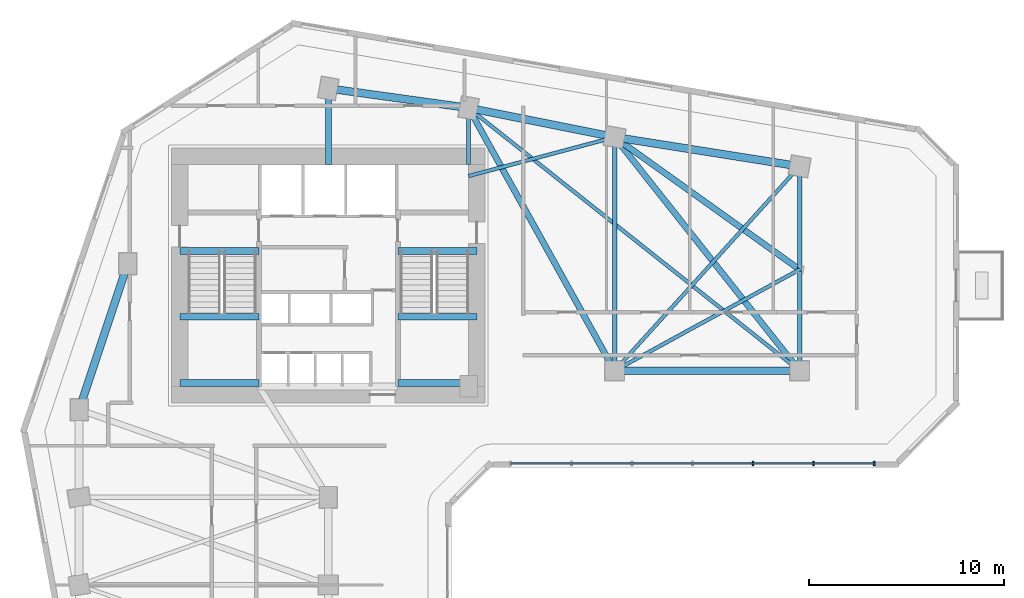
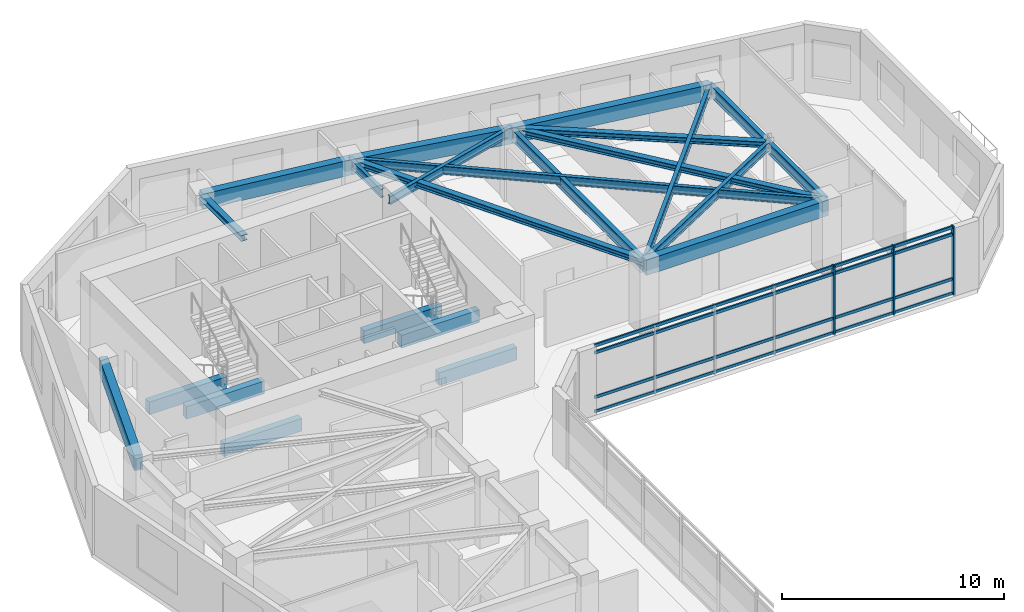
# One storey, part 3 of 11: 22 beams, 7 members, 1 element without a shape of its own.
"""IFC4 building model written with IfcOpenShell, lengths in metres."""

from ifc_helpers import new_model, si_unit, direction, frame, origin, origin_2d, place, context, subcontext, project, spatial, rectangle, i_section, extrude, source, transform, mapped, material, material_profile, profile_set, type_object, element, aggregate, save


model = new_model("IFC4")

# Units and contexts
model_context = context("Model", 3, precision=1e-05, world=origin(), true_north=direction((0.0, 1.0)))
body_context = subcontext(model_context, "Body", "Model", "MODEL_VIEW")
ifc_project = project(units=[si_unit("LENGTHUNIT", "METRE"), si_unit("AREAUNIT", "SQUARE_METRE"), si_unit("VOLUMEUNIT", "CUBIC_METRE"), si_unit("PLANEANGLEUNIT", "RADIAN"), si_unit("MASSUNIT", "GRAM", prefix="KILO")], contexts=[model_context])

# Site, building, storey
site_placement = place(None, origin())
site = spatial("IfcSite", under=ifc_project, at=site_placement, CompositionType="ELEMENT")
building_placement = place(site_placement, origin())
building = spatial("IfcBuilding", under=site, at=building_placement, Name="Calvemar Wedge Station Tower", CompositionType="ELEMENT")
storey_placement = place(building_placement, frame((0.0, 0.0, 79.0)))
storey = spatial("IfcBuildingStorey", under=building, at=storey_placement, Name="L19", CompositionType="ELEMENT", Elevation=79.0)

# Beams
ifc_material_1 = material(Name="Concrete C70", Category="concrete")
ifc_material_profile_1 = material_profile(ifc_material_1, rectangle(XDim=0.35009765625, YDim=0.699951171875, at=origin_2d()), Name="RC350x700")
ifc_profile_set_1 = profile_set([ifc_material_profile_1], Name="Concrete C70")
beam_type_1 = type_object("IfcBeamType", Name="BM-LN1-700", PredefinedType="LINTEL", material=ifc_profile_set_1)
shared_shape_1 = source(origin(), body_context, "Body", "SweptSolid", [
    extrude(rectangle(XDim=0.35009765625, YDim=0.699951171875, at=origin_2d()), origin(), (0.0, 0.0, 1.0), 4.054931640625),
])
for number, where, z_axis, x_axis, name in (
    (1, (16.175048828125, 41.14990234375, -0.35009765625), (1.0, 0.0, 0.0), (0.0, 1.0, 0.0), "Storey L19 Stair ST-C1 Landing Trimmer Beam"),
    (2, (27.3701171875, 41.14990234375, -0.35009765625), (1.0, 0.0, 0.0), (0.0, 1.0, 0.0), "Storey L19 Stair ST-C2 Landing Trimmer Beam"),
    (3, (16.175048828125, 34.3798828125, 1.449951171875), (1.0, 0.0, 0.0), (0.0, 1.0, 0.0), "Storey L19 Stair ST-C1 Half-Landing Beam 1A"),
    (4, (16.175048828125, 37.780029296875, 1.449951171875), (1.0, 0.0, 0.0), (0.0, 1.0, 0.0), "Storey L19 Stair ST-C1 Half-Landing Beam 1B"),
    (5, (27.3701171875, 34.3798828125, 1.449951171875), (1.0, 0.0, 0.0), (0.0, 1.0, 0.0), "Storey L19 Stair ST-C2 Half-Landing Beam 1A"),
    (6, (27.3701171875, 37.780029296875, 1.449951171875), (1.0, 0.0, 0.0), (0.0, 1.0, 0.0), "Storey L19 Stair ST-C2 Half-Landing Beam 1B"),
):
    element("IfcBeam", number, at=place(storey_placement, frame(where, z_axis=z_axis, x_axis=x_axis)), inside=storey, type_object=beam_type_1, Name=name, PredefinedType="LINTEL", context=body_context, shape_type="MappedRepresentation", body=[
        mapped(shared_shape_1, transform((0.0, 0.0, 0.0), scale=1.0)),
    ])
ifc_material_2 = material(Name="Concrete C60", Category="concrete")
ifc_material_profile_2 = material_profile(ifc_material_2, rectangle(XDim=0.39990234375, YDim=0.85009765625, at=origin_2d()), Name="RC400x850")
ifc_profile_set_2 = profile_set([ifc_material_profile_2], Name="Concrete C60")
beam_type_2 = type_object("IfcBeamType", Name="BM-SP1-850", PredefinedType="SPANDREL", material=ifc_profile_set_2)
shared_shape_2 = source(origin(), body_context, "Body", "SweptSolid", [
    extrude(rectangle(XDim=0.39990234375, YDim=0.85009765625, at=origin_2d()), origin(), (0.0, 0.0, 1.0), 7.90576171875),
])
beam_1_placement = place(storey_placement, frame((11.0, 33.0, 3.324951171875), z_axis=(0.316227766017, 0.948683298051, 0.0), x_axis=(-0.948683298051, 0.316227766017, 0.0)))
element("IfcBeam", 7, at=beam_1_placement, inside=storey, type_object=beam_type_2, Name="Storey L19 Spandrel T-NW1-T-NW2", PredefinedType="SPANDREL", context=body_context, shape_type="MappedRepresentation", body=[
    mapped(shared_shape_2, transform((0.0, 0.0, 0.0), scale=1.0)),
])
shared_shape_3 = source(origin(), body_context, "Body", "SweptSolid", [
    extrude(rectangle(XDim=0.39990234375, YDim=0.85009765625, at=origin_2d()), origin(), (0.0, 0.0, 1.0), 7.26904296875),
])
beam_2_placement = place(storey_placement, frame((23.800048828125, 49.5, 3.324951171875), z_axis=(0.990492146053, -0.13756928657, 0.0), x_axis=(0.13756928657, 0.990492146053, 0.0)))
element("IfcBeam", 8, at=beam_2_placement, inside=storey, type_object=beam_type_2, Name="Storey L19 Spandrel T-N1-T-N2", PredefinedType="SPANDREL", context=body_context, shape_type="MappedRepresentation", body=[
    mapped(shared_shape_3, transform((0.0, 0.0, 0.0), scale=1.0)),
])
shared_shape_4 = source(origin(), body_context, "Body", "SweptSolid", [
    extrude(rectangle(XDim=0.39990234375, YDim=0.85009765625, at=origin_2d()), origin(), (0.0, 0.0, 1.0), 7.6484375),
])
beam_3_placement = place(storey_placement, frame((31.0, 48.5, 3.324951171875), z_axis=(0.980580675691, -0.196116135138, 0.0), x_axis=(0.196116135138, 0.980580675691, 0.0)))
element("IfcBeam", 9, at=beam_3_placement, inside=storey, type_object=beam_type_2, Name="Storey L19 Spandrel T-N2-T-NU3", PredefinedType="SPANDREL", context=body_context, shape_type="MappedRepresentation", body=[
    mapped(shared_shape_4, transform((0.0, 0.0, 0.0), scale=1.0)),
])
shared_shape_5 = source(origin(), body_context, "Body", "SweptSolid", [
    extrude(rectangle(XDim=0.39990234375, YDim=0.85009765625, at=origin_2d()), origin(), (0.0, 0.0, 1.0), 9.61767578125),
])
beam_4_placement = place(storey_placement, frame((38.5, 47.0, 3.324951171875), z_axis=(0.987762965329, -0.155962573473, 0.0), x_axis=(0.155962573473, 0.987762965329, 0.0)))
element("IfcBeam", 10, at=beam_4_placement, inside=storey, type_object=beam_type_2, Name="Storey L19 Spandrel T-NU3-T-NU4", PredefinedType="SPANDREL", context=body_context, shape_type="MappedRepresentation", body=[
    mapped(shared_shape_5, transform((0.0, 0.0, 0.0), scale=1.0)),
])
shared_shape_6 = source(origin(), body_context, "Body", "SweptSolid", [
    extrude(rectangle(XDim=0.39990234375, YDim=0.85009765625, at=origin_2d()), origin(), (0.0, 0.0, 1.0), 9.5),
])
beam_5_placement = place(storey_placement, frame((38.5, 35.0, 3.324951171875), z_axis=(1.0, 0.0, 0.0), x_axis=(0.0, 1.0, 0.0)))
element("IfcBeam", 11, at=beam_5_placement, inside=storey, type_object=beam_type_2, Name="Storey L19 Spandrel T-NL2-T-NL3", PredefinedType="SPANDREL", context=body_context, shape_type="MappedRepresentation", body=[
    mapped(shared_shape_6, transform((0.0, 0.0, 0.0), scale=1.0)),
])
ifc_material_3 = material(Name="Structural steel ASTM A572 Grade 50", Category="steel")
ifc_material_profile_3 = material_profile(ifc_material_3, i_section(OverallWidth=0.22998046875, OverallDepth=0.616943359375, WebThickness=0.01318359375, FlangeThickness=0.022216796875, FilletRadius=0.012939453125, at=origin_2d()), Name="W610x140")
ifc_profile_set_3 = profile_set([ifc_material_profile_3], Name="Structural steel ASTM A572 Grade 50")
beam_type_3 = type_object("IfcBeamType", Name="BM-SB2-W610", PredefinedType="BEAM", material=ifc_profile_set_3)
shared_shape_7 = source(origin(), body_context, "Body", "SweptSolid", [
    extrude(i_section(OverallWidth=0.22998046875, OverallDepth=0.616943359375, WebThickness=0.01318359375, FlangeThickness=0.022216796875, FilletRadius=0.012939453125, at=origin_2d()), origin(), (0.0, 0.0, 1.0), 12.0),
])
beam_6_placement = place(storey_placement, frame((38.5, 47.0, 3.44140625), z_axis=(0.0, -1.0, 0.0), x_axis=(1.0, 0.0, 0.0)))
element("IfcBeam", 12, at=beam_6_placement, inside=storey, type_object=beam_type_3, Name="Storey L19 Floor Beam T-NU3-T-NL2", PredefinedType="BEAM", context=body_context, shape_type="MappedRepresentation", body=[
    mapped(shared_shape_7, transform((0.0, 0.0, 0.0), scale=1.0)),
])
shared_shape_8 = source(origin(), body_context, "Body", "SweptSolid", [
    extrude(i_section(OverallWidth=0.22998046875, OverallDepth=0.616943359375, WebThickness=0.01318359375, FlangeThickness=0.022216796875, FilletRadius=0.012939453125, at=origin_2d()), origin(), (0.0, 0.0, 1.0), 10.5),
])
beam_7_placement = place(storey_placement, frame((48.0, 45.5, 3.44140625), z_axis=(0.0, -1.0, 0.0), x_axis=(1.0, 0.0, 0.0)))
element("IfcBeam", 13, at=beam_7_placement, inside=storey, type_object=beam_type_3, Name="Storey L19 Floor Beam T-NU4-T-NL3", PredefinedType="BEAM", context=body_context, shape_type="MappedRepresentation", body=[
    mapped(shared_shape_8, transform((0.0, 0.0, 0.0), scale=1.0)),
])
ifc_material_profile_4 = material_profile(ifc_material_3, i_section(OverallWidth=0.30908203125, OverallDepth=0.322998046875, WebThickness=0.013916015625, FlangeThickness=0.02294921875, FilletRadius=0.014892578125, at=origin_2d()), Name="W310x143")
ifc_profile_set_4 = profile_set([ifc_material_profile_4], Name="Structural steel ASTM A572 Grade 50")
beam_type_4 = type_object("IfcBeamType", Name="BM-J5-W310H", PredefinedType="JOIST", material=ifc_profile_set_4)
shared_shape_9 = source(origin(), body_context, "Body", "SweptSolid", [
    extrude(i_section(OverallWidth=0.30908203125, OverallDepth=0.322998046875, WebThickness=0.013916015625, FlangeThickness=0.02294921875, FilletRadius=0.014892578125, at=origin_2d()), origin(), (0.0, 0.0, 1.0), 15.443359375),
])
beam_8_placement = place(storey_placement, frame((31.0, 48.5, 3.58837890625), z_axis=(0.485642931179, -0.874157276122, 0.0), x_axis=(0.874157276122, 0.485642931179, 0.0)))
element("IfcBeam", 14, at=beam_8_placement, inside=storey, type_object=beam_type_4, Name="Storey L19 Floor Beam T-N2-T-NL2", PredefinedType="JOIST", context=body_context, shape_type="MappedRepresentation", body=[
    mapped(shared_shape_9, transform((0.0, 0.0, 0.0), scale=1.0)),
])
ifc_material_profile_5 = material_profile(ifc_material_3, i_section(OverallWidth=0.19189453125, OverallDepth=0.462890625, WebThickness=0.010498046875, FlangeThickness=0.017578125, FilletRadius=0.012939453125, at=origin_2d()), Name="W460x89")
ifc_profile_set_5 = profile_set([ifc_material_profile_5], Name="Structural steel ASTM A572 Grade 50")
beam_type_5 = type_object("IfcBeamType", Name="BM-J1-W460", PredefinedType="JOIST", material=ifc_profile_set_5)
shared_shape_10 = source(origin(), body_context, "Body", "SweptSolid", [
    extrude(i_section(OverallWidth=0.19189453125, OverallDepth=0.462890625, WebThickness=0.010498046875, FlangeThickness=0.017578125, FilletRadius=0.012939453125, at=origin_2d()), origin(), (0.0, 0.0, 1.0), 21.708251953125),
])
beam_9_placement = place(storey_placement, frame((31.0, 48.5, 3.5185546875), z_axis=(0.783110847498, -0.621882143602, 0.0), x_axis=(0.621882143602, 0.783110847498, 0.0)))
element("IfcBeam", 15, at=beam_9_placement, inside=storey, type_object=beam_type_5, Name="Storey L19 Floor Beam T-N2-T-NL3", PredefinedType="JOIST", context=body_context, shape_type="MappedRepresentation", body=[
    mapped(shared_shape_10, transform((0.0, 0.0, 0.0), scale=1.0)),
])
shared_shape_11 = source(origin(), body_context, "Body", "SweptSolid", [
    extrude(i_section(OverallWidth=0.30908203125, OverallDepth=0.322998046875, WebThickness=0.013916015625, FlangeThickness=0.02294921875, FilletRadius=0.014892578125, at=origin_2d()), origin(), (0.0, 0.0, 1.0), 15.30517578125),
])
beam_10_placement = place(storey_placement, frame((38.5, 47.0, 3.58837890625), z_axis=(0.620702944366, -0.784045824462, 0.0), x_axis=(0.784045824462, 0.620702944366, 0.0)))
element("IfcBeam", 16, at=beam_10_placement, inside=storey, type_object=beam_type_4, Name="Storey L19 Floor Beam T-NU3-T-NL3", PredefinedType="JOIST", context=body_context, shape_type="MappedRepresentation", body=[
    mapped(shared_shape_11, transform((0.0, 0.0, 0.0), scale=1.0)),
])
shared_shape_12 = source(origin(), body_context, "Body", "SweptSolid", [
    extrude(i_section(OverallWidth=0.19189453125, OverallDepth=0.462890625, WebThickness=0.010498046875, FlangeThickness=0.017578125, FilletRadius=0.012939453125, at=origin_2d()), origin(), (0.0, 0.0, 1.0), 14.159912109375),
])
beam_11_placement = place(storey_placement, frame((38.5, 35.0, 3.5185546875), z_axis=(0.670913323969, 0.741535779124, 0.0), x_axis=(-0.741535779124, 0.670913323969, 0.0)))
element("IfcBeam", 17, at=beam_11_placement, inside=storey, type_object=beam_type_5, Name="Storey L19 Floor Beam T-NL2-T-NU4", PredefinedType="JOIST", context=body_context, shape_type="MappedRepresentation", body=[
    mapped(shared_shape_12, transform((0.0, 0.0, 0.0), scale=1.0)),
])
shared_shape_13 = source(origin(), body_context, "Body", "SweptSolid", [
    extrude(i_section(OverallWidth=0.30908203125, OverallDepth=0.322998046875, WebThickness=0.013916015625, FlangeThickness=0.02294921875, FilletRadius=0.014892578125, at=origin_2d()), origin(), (0.0, 0.0, 1.0), 11.682861328125),
])
beam_12_placement = place(storey_placement, frame((48.0, 40.199951171875, 3.58837890625), z_axis=(-0.81315274409, 0.582050354161, 0.0), x_axis=(-0.582050354161, -0.81315274409, 0.0)))
element("IfcBeam", 18, at=beam_12_placement, inside=storey, type_object=beam_type_4, Name="Storey L19 Floor Beam T-NTIP-A-T-NU3", PredefinedType="JOIST", context=body_context, shape_type="MappedRepresentation", body=[
    mapped(shared_shape_13, transform((0.0, 0.0, 0.0), scale=1.0)),
])
shared_shape_14 = source(origin(), body_context, "Body", "SweptSolid", [
    extrude(i_section(OverallWidth=0.19189453125, OverallDepth=0.462890625, WebThickness=0.010498046875, FlangeThickness=0.017578125, FilletRadius=0.012939453125, at=origin_2d()), origin(), (0.0, 0.0, 1.0), 10.830078125),
])
beam_13_placement = place(storey_placement, frame((48.0, 40.199951171875, 3.5185546875), z_axis=(-0.877190767997, -0.480142017053, 0.0), x_axis=(0.480142017053, -0.877190767997, 0.0)))
element("IfcBeam", 19, at=beam_13_placement, inside=storey, type_object=beam_type_5, Name="Storey L19 Floor Beam T-NTIP-A-T-NL2", PredefinedType="JOIST", context=body_context, shape_type="MappedRepresentation", body=[
    mapped(shared_shape_14, transform((0.0, 0.0, 0.0), scale=1.0)),
])
shared_shape_15 = source(origin(), body_context, "Body", "SweptSolid", [
    extrude(i_section(OverallWidth=0.19189453125, OverallDepth=0.462890625, WebThickness=0.010498046875, FlangeThickness=0.017578125, FilletRadius=0.012939453125, at=origin_2d()), origin(), (0.0, 0.0, 1.0), 7.76220703125),
])
beam_14_placement = place(storey_placement, frame((31.0, 45.0, 3.5185546875), z_axis=(0.966234939601, 0.25766265056, 0.0), x_axis=(-0.25766265056, 0.966234939601, 0.0)))
element("IfcBeam", 20, at=beam_14_placement, inside=storey, type_object=beam_type_5, Name="Storey L19 Core-to-Column Joist CJ-E2", PredefinedType="JOIST", context=body_context, shape_type="MappedRepresentation", body=[
    mapped(shared_shape_15, transform((0.0, 0.0, 0.0), scale=1.0)),
])
shared_shape_16 = source(origin(), body_context, "Body", "SweptSolid", [
    extrude(i_section(OverallWidth=0.30908203125, OverallDepth=0.322998046875, WebThickness=0.013916015625, FlangeThickness=0.02294921875, FilletRadius=0.014892578125, at=origin_2d()), origin(), (0.0, 0.0, 1.0), 3.89990234375),
])
beam_15_placement = place(storey_placement, frame((23.800048828125, 45.60009765625, 3.58837890625), z_axis=(0.0, 1.0, 0.0), x_axis=(-1.0, 0.0, 0.0)))
element("IfcBeam", 21, at=beam_15_placement, inside=storey, type_object=beam_type_4, Name="Storey L19 Core-to-Column Joist CJ-N1", PredefinedType="JOIST", context=body_context, shape_type="MappedRepresentation", body=[
    mapped(shared_shape_16, transform((0.0, 0.0, 0.0), scale=1.0)),
])
shared_shape_17 = source(origin(), body_context, "Body", "SweptSolid", [
    extrude(i_section(OverallWidth=0.19189453125, OverallDepth=0.462890625, WebThickness=0.010498046875, FlangeThickness=0.017578125, FilletRadius=0.012939453125, at=origin_2d()), origin(), (0.0, 0.0, 1.0), 2.89990234375),
])
beam_16_placement = place(storey_placement, frame((31.0, 45.60009765625, 3.5185546875), z_axis=(0.0, 1.0, 0.0), x_axis=(-1.0, 0.0, 0.0)))
element("IfcBeam", 22, at=beam_16_placement, inside=storey, type_object=beam_type_5, Name="Storey L19 Core-to-Column Joist CJ-N2", PredefinedType="JOIST", context=body_context, shape_type="MappedRepresentation", body=[
    mapped(shared_shape_17, transform((0.0, 0.0, 0.0), scale=1.0)),
])

# Curtain wall, members
ifc_material_4 = material(Name="Anodised aluminium 6063-T6", Category="aluminium")
curtain_wall_type = type_object("IfcCurtainWallType", Name="CW1", PredefinedType="NOTDEFINED", material=ifc_material_4)
curtain_wall_placement = place(storey_placement, origin())
curtain_wall = element("IfcCurtainWall", 23, at=curtain_wall_placement, inside=storey, type_object=curtain_wall_type, Name="Storey L19 CW1 Recessed Unitised Curtain Wall 6", PredefinedType="NOTDEFINED")
ifc_material_profile_6 = material_profile(ifc_material_4, rectangle(XDim=0.080078125, YDim=0.219970703125, at=origin_2d()), Name="AL-MUL-80x220")
ifc_profile_set_6 = profile_set([ifc_material_profile_6], Name="Anodised aluminium 6063-T6")
member_type_1 = type_object("IfcMemberType", Name="CW1-MUL", PredefinedType="MULLION", material=ifc_profile_set_6)
shared_shape_18 = source(origin(), body_context, "Body", "SweptSolid", [
    extrude(rectangle(XDim=0.080078125, YDim=0.219970703125, at=origin_2d()), origin(), (0.0, 0.0, 1.0), 3.800048828125),
])
member_1_placement = place(storey_placement, frame((45.614013671875, 30.238037109375, -0.050048828125), z_axis=(0.0, 0.0, 1.0), x_axis=(1.0, 0.0, 0.0)))
member_1 = element("IfcMember", 24, at=member_1_placement, type_object=member_type_1, Name="CW1 mullion 5", PredefinedType="MULLION", context=body_context, shape_type="MappedRepresentation", body=[
    mapped(shared_shape_18, transform((0.0, 0.0, 0.0), scale=1.0)),
])
member_2_placement = place(storey_placement, frame((48.725830078125, 30.238037109375, -0.050048828125), z_axis=(0.0, 0.0, 1.0), x_axis=(1.0, 0.0, 0.0)))
member_2 = element("IfcMember", 25, at=member_2_placement, type_object=member_type_1, Name="CW1 mullion 6", PredefinedType="MULLION", context=body_context, shape_type="MappedRepresentation", body=[
    mapped(shared_shape_18, transform((0.0, 0.0, 0.0), scale=1.0)),
])
member_3_placement = place(storey_placement, frame((51.837890625, 30.238037109375, -0.050048828125), z_axis=(0.0, 0.0, 1.0), x_axis=(1.0, 0.0, 0.0)))
member_3 = element("IfcMember", 26, at=member_3_placement, type_object=member_type_1, Name="CW1 mullion 7", PredefinedType="MULLION", context=body_context, shape_type="MappedRepresentation", body=[
    mapped(shared_shape_18, transform((0.0, 0.0, 0.0), scale=1.0)),
])
ifc_material_profile_7 = material_profile(ifc_material_4, rectangle(XDim=0.080078125, YDim=0.159912109375, at=origin_2d()), Name="AL-TRN-80x160")
ifc_profile_set_7 = profile_set([ifc_material_profile_7], Name="Anodised aluminium 6063-T6")
member_type_2 = type_object("IfcMemberType", Name="CW1-TRN", PredefinedType="USERDEFINED", material=ifc_profile_set_7)
shared_shape_19 = source(origin(), body_context, "Body", "SweptSolid", [
    extrude(rectangle(XDim=0.080078125, YDim=0.159912109375, at=origin_2d()), origin(), (0.0, 0.0, 1.0), 18.671875),
])
member_4_placement = place(storey_placement, frame((33.166015625, 30.238037109375, 0.06005859375), z_axis=(1.0, 0.0, 0.0), x_axis=(0.0, 1.0, 0.0)))
member_4 = element("IfcMember", 27, at=member_4_placement, type_object=member_type_2, Name="CW1 transom 1", ObjectType="TRANSOM", PredefinedType="USERDEFINED", context=body_context, shape_type="MappedRepresentation", body=[
    mapped(shared_shape_19, transform((0.0, 0.0, 0.0), scale=1.0)),
])
member_5_placement = place(storey_placement, frame((33.166015625, 30.238037109375, 0.85009765625), z_axis=(1.0, 0.0, 0.0), x_axis=(0.0, 1.0, 0.0)))
member_5 = element("IfcMember", 28, at=member_5_placement, type_object=member_type_2, Name="CW1 transom 2", ObjectType="TRANSOM", PredefinedType="USERDEFINED", context=body_context, shape_type="MappedRepresentation", body=[
    mapped(shared_shape_19, transform((0.0, 0.0, 0.0), scale=1.0)),
])
member_6_placement = place(storey_placement, frame((33.166015625, 30.238037109375, 3.300048828125), z_axis=(1.0, 0.0, 0.0), x_axis=(0.0, 1.0, 0.0)))
member_6 = element("IfcMember", 29, at=member_6_placement, type_object=member_type_2, Name="CW1 transom 3", ObjectType="TRANSOM", PredefinedType="USERDEFINED", context=body_context, shape_type="MappedRepresentation", body=[
    mapped(shared_shape_19, transform((0.0, 0.0, 0.0), scale=1.0)),
])
member_7_placement = place(storey_placement, frame((33.166015625, 30.238037109375, 3.68994140625), z_axis=(1.0, 0.0, 0.0), x_axis=(0.0, 1.0, 0.0)))
member_7 = element("IfcMember", 30, at=member_7_placement, type_object=member_type_2, Name="CW1 transom 4", ObjectType="TRANSOM", PredefinedType="USERDEFINED", context=body_context, shape_type="MappedRepresentation", body=[
    mapped(shared_shape_19, transform((0.0, 0.0, 0.0), scale=1.0)),
])
aggregate(curtain_wall, [member_1, member_2, member_3, member_4, member_5, member_6, member_7])

save(model, "model.ifc")
